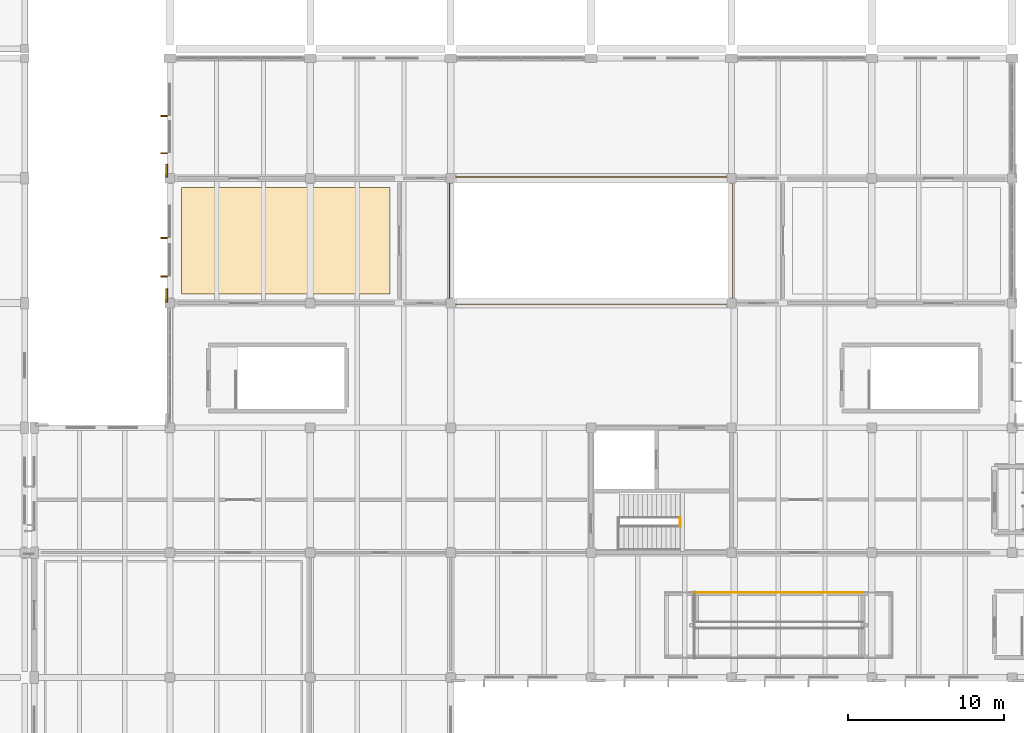
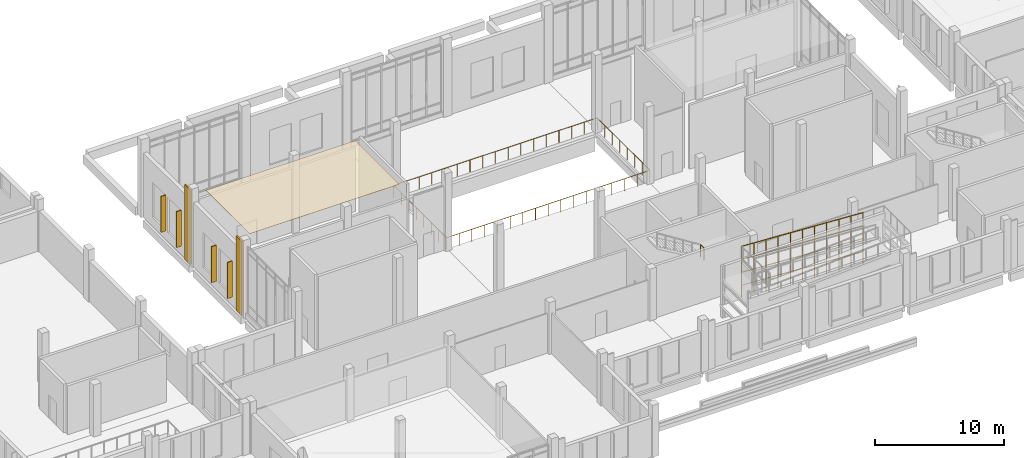
# One storey, part 99 of 110: 6 railings, 4 shading devices, 3 coverings.
"""IFC4 building model written with IfcOpenShell, lengths in metres."""

from ifc_helpers import new_model, si_unit, direction, frame, origin, origin_2d, place, context, subcontext, project, spatial, polyline, rectangle, circle, outline, extrude, material, layer, layer_set, type_object, element, save


model = new_model("IFC4")

# Units and contexts
model_context = context("Model", 3, precision=1e-05, world=origin(), true_north=direction((0.0, 1.0)))
body_context = subcontext(model_context, "Body", "Model", "MODEL_VIEW")
ifc_project = project(units=[si_unit("LENGTHUNIT", "METRE"), si_unit("AREAUNIT", "SQUARE_METRE"), si_unit("VOLUMEUNIT", "CUBIC_METRE"), si_unit("PLANEANGLEUNIT", "RADIAN"), si_unit("MASSUNIT", "GRAM", prefix="KILO")], contexts=[model_context])

# Site, building, storey
site_placement = place(None, origin())
site = spatial("IfcSite", under=ifc_project, at=site_placement, CompositionType="ELEMENT")
building_placement = place(site_placement, origin())
building = spatial("IfcBuilding", under=site, at=building_placement, Name="Zacnel Wholesale Market", CompositionType="ELEMENT")
storey_placement = place(building_placement, frame((0.0, 0.0, 6.300048828125)))
storey = spatial("IfcBuildingStorey", under=building, at=storey_placement, Name="L02", CompositionType="ELEMENT", Elevation=6.300048828125)

# Coverings
ifc_material_1 = material(Name="Micro-perforated acoustic gypsum ceiling")
ifc_layer_1 = layer(ifc_material_1, 0.02001953125)
ifc_layer_set_1 = layer_set([ifc_layer_1], Name="Micro-perforated acoustic gypsum ceiling")
covering_type_1 = type_object("IfcCoveringType", Name="COV-CEIL-AC-20", PredefinedType="CEILING", material=ifc_layer_set_1)
covering_placement = place(storey_placement, frame((0.0, 0.0, 7.070068359375)))
element("IfcCovering", 1, at=covering_placement, inside=storey, type_object=covering_type_1, Name="Acoustic ceiling L02-203", PredefinedType="CEILING", context=body_context, shape_type="SweptSolid", body=[
    extrude(outline(polyline([(81.75, 32.60009765625), (95.10009765625, 32.60009765625), (95.10009765625, 39.39990234375), (81.75, 39.39990234375), (81.75, 32.60009765625)])), origin(), (0.0, 0.0, 1.0), 0.019775390625),
])
ifc_material_2 = material(Name="Honed Yucatan Maya cream limestone", Category="masonry")
ifc_layer_2 = layer(ifc_material_2, 0.090087890625)
ifc_layer_set_2 = layer_set([ifc_layer_2], Name="Honed Yucatan Maya cream limestone")
covering_type_2 = type_object("IfcCoveringType", Name="COV-CLAD-FRET", PredefinedType="CLADDING", material=ifc_layer_set_2)
for number, where, z_axis, x_axis, name in (
    (2, (80.7900390625, 32.47998046875, 0.02001953125), (0.0, 0.0, 1.0), (0.0, 1.0, 0.0), "Fluted Mayan-Deco limestone pilaster L02-0121"),
    (3, (80.7900390625, 40.47998046875, 0.02001953125), (0.0, 0.0, 1.0), (0.0, 1.0, 0.0), "Fluted Mayan-Deco limestone pilaster L02-0122"),
):
    element("IfcCovering", number, at=place(storey_placement, frame(where, z_axis=z_axis, x_axis=x_axis)), inside=storey, type_object=covering_type_2, Name=name, PredefinedType="CLADDING", context=body_context, shape_type="SweptSolid", body=[
        extrude(rectangle(XDim=0.85009765625, YDim=0.1201171875, at=origin_2d()), origin(), (0.0, 0.0, 1.0), 7.050048828125),
    ])

# Railings
ifc_material_3 = material(Name="Galvanized steel", Category="steel")
railing_type_1 = type_object("IfcRailingType", Name="RAL-STAIR-GD1150", PredefinedType="BALUSTRADE", material=ifc_material_3)
railing_1_placement = place(storey_placement, frame((113.7099609375, 17.699951171875, 2.449951171875)))
element("IfcRailing", 4, at=railing_1_placement, inside=storey, type_object=railing_type_1, Name="Stair balustrade INT-STAIR-ST-17-GDIN-2", PredefinedType="BALUSTRADE", context=body_context, shape_type="SweptSolid", body=[
    extrude(circle(Radius=0.02392578125, at=origin_2d()), frame((0.0, 0.0, 1.1259765625), z_axis=(0.0, 1.0, 0.0), x_axis=(-1.0, 0.0, 0.0)), (0.0, 0.0, 1.0), 0.550048828125),
    extrude(circle(Radius=0.02099609375, at=origin_2d()), origin(), (0.0, 0.0, 1.0), 1.101806640625),
    extrude(circle(Radius=0.02099609375, at=origin_2d()), frame((0.0, 0.550048828125, 0.0)), (0.0, 0.0, 1.0), 1.101806640625),
])
railing_2_placement = place(storey_placement, frame((125.44091796875, 13.449951171875, 0.612548828125)))
element("IfcRailing", 5, at=railing_2_placement, inside=storey, type_object=railing_type_1, Name="Accessible ramp RP-04 (RMP-PROM-2) balustrade 2", PredefinedType="BALUSTRADE", context=body_context, shape_type="SweptSolid", body=[
    extrude(circle(Radius=0.0224609375, at=origin_2d()), frame((0.0, 0.0, 1.12744140625), z_axis=(-0.998408732111, 0.0, 0.056391521037), x_axis=(0.0, -1.0, 0.0)), (0.0, 0.0, 1.0), 10.858154296875),
    extrude(circle(Radius=0.02001953125, at=origin_2d()), origin(), (0.0, 0.0, 1.0), 1.10498046875),
    extrude(circle(Radius=0.02001953125, at=origin_2d()), frame((-1.083984375, 0.0, 0.061279296875)), (0.0, 0.0, 1.0), 1.10498046875),
    extrude(circle(Radius=0.02001953125, at=origin_2d()), frame((-2.168212890625, 0.0, 0.12255859375)), (0.0, 0.0, 1.0), 1.10498046875),
    extrude(circle(Radius=0.02001953125, at=origin_2d()), frame((-3.252197265625, 0.0, 0.18359375)), (0.0, 0.0, 1.0), 1.10498046875),
    extrude(circle(Radius=0.02001953125, at=origin_2d()), frame((-4.33642578125, 0.0, 0.244873046875)), (0.0, 0.0, 1.0), 1.10498046875),
    extrude(circle(Radius=0.02001953125, at=origin_2d()), frame((-5.42041015625, 0.0, 0.30615234375)), (0.0, 0.0, 1.0), 1.10498046875),
    extrude(circle(Radius=0.02001953125, at=origin_2d()), frame((-6.50439453125, 0.0, 0.367431640625)), (0.0, 0.0, 1.0), 1.10498046875),
    extrude(circle(Radius=0.02001953125, at=origin_2d()), frame((-7.588623046875, 0.0, 0.4287109375)), (0.0, 0.0, 1.0), 1.10498046875),
    extrude(circle(Radius=0.02001953125, at=origin_2d()), frame((-8.672607421875, 0.0, 0.48974609375)), (0.0, 0.0, 1.0), 1.10498046875),
    extrude(circle(Radius=0.02001953125, at=origin_2d()), frame((-9.7568359375, 0.0, 0.551025390625)), (0.0, 0.0, 1.0), 1.10498046875),
    extrude(circle(Radius=0.02001953125, at=origin_2d()), frame((-10.8408203125, 0.0, 0.6123046875)), (0.0, 0.0, 1.0), 1.10498046875),
])
for number, where, name in (
    (6, (125.44091796875, 13.449951171875, 1.83740234375), "Accessible ramp RP-04 (RMP-PROM-2) balustrade 4"),
    (7, (125.44091796875, 13.449951171875, 3.0625), "Accessible ramp RP-04 (RMP-PROM-2) balustrade 6"),
    (8, (125.44091796875, 13.449951171875, 4.287353515625), "Accessible ramp RP-04 (RMP-PROM-2) balustrade 8"),
):
    element("IfcRailing", number, at=place(storey_placement, frame(where)), inside=storey, type_object=railing_type_1, Name=name, PredefinedType="BALUSTRADE", context=body_context, shape_type="SweptSolid", body=[
        extrude(circle(Radius=0.0224609375, at=origin_2d()), frame((0.0, 0.0, 1.12744140625), z_axis=(-0.998407465934, 0.0, 0.056413934151), x_axis=(0.0, -1.0, 0.0)), (0.0, 0.0, 1.0), 10.858154296875),
        extrude(circle(Radius=0.02001953125, at=origin_2d()), origin(), (0.0, 0.0, 1.0), 1.10498046875),
        extrude(circle(Radius=0.02001953125, at=origin_2d()), frame((-1.083984375, 0.0, 0.061279296875)), (0.0, 0.0, 1.0), 1.10498046875),
        extrude(circle(Radius=0.02001953125, at=origin_2d()), frame((-2.168212890625, 0.0, 0.12255859375)), (0.0, 0.0, 1.0), 1.10498046875),
        extrude(circle(Radius=0.02001953125, at=origin_2d()), frame((-3.252197265625, 0.0, 0.183837890625)), (0.0, 0.0, 1.0), 1.10498046875),
        extrude(circle(Radius=0.02001953125, at=origin_2d()), frame((-4.33642578125, 0.0, 0.2451171875)), (0.0, 0.0, 1.0), 1.10498046875),
        extrude(circle(Radius=0.02001953125, at=origin_2d()), frame((-5.42041015625, 0.0, 0.30615234375)), (0.0, 0.0, 1.0), 1.10498046875),
        extrude(circle(Radius=0.02001953125, at=origin_2d()), frame((-6.50439453125, 0.0, 0.367431640625)), (0.0, 0.0, 1.0), 1.10498046875),
        extrude(circle(Radius=0.02001953125, at=origin_2d()), frame((-7.588623046875, 0.0, 0.4287109375)), (0.0, 0.0, 1.0), 1.10498046875),
        extrude(circle(Radius=0.02001953125, at=origin_2d()), frame((-8.672607421875, 0.0, 0.489990234375)), (0.0, 0.0, 1.0), 1.10498046875),
        extrude(circle(Radius=0.02001953125, at=origin_2d()), frame((-9.7568359375, 0.0, 0.55126953125)), (0.0, 0.0, 1.0), 1.10498046875),
        extrude(circle(Radius=0.02001953125, at=origin_2d()), frame((-10.8408203125, 0.0, 0.612548828125)), (0.0, 0.0, 1.0), 1.10498046875),
    ])
ifc_material_4 = material(Name="Steel S355", Category="steel")
ifc_layer_3 = layer(ifc_material_4, 0.080078125)
ifc_layer_set_3 = layer_set([ifc_layer_3], Name="Steel S355")
railing_type_2 = type_object("IfcRailingType", Name="RL-BAL-1150", PredefinedType="BALUSTRADE", material=ifc_layer_set_3)
railing_3_placement = place(storey_placement, frame((98.919921875, 31.919921875, 0.0)))
element("IfcRailing", 9, at=railing_3_placement, inside=storey, type_object=railing_type_2, Name="Terrace safety balustrade GD-L02-ATR-V2", PredefinedType="BALUSTRADE", context=body_context, shape_type="SweptSolid", body=[
    extrude(circle(Radius=0.02392578125, at=origin_2d()), frame((0.0, 0.0, 1.1259765625), z_axis=(1.0, 0.0, 0.0), x_axis=(0.0, 1.0, 0.0)), (0.0, 0.0, 1.0), 18.16015625),
    extrude(circle(Radius=0.02392578125, at=origin_2d()), frame((18.16015625, 0.0, 1.1259765625), z_axis=(0.0, 1.0, 0.0), x_axis=(-1.0, 0.0, 0.0)), (0.0, 0.0, 1.0), 8.16015625),
    extrude(circle(Radius=0.02392578125, at=origin_2d()), frame((18.16015625, 8.16015625, 1.1259765625), z_axis=(-1.0, 0.0, 0.0), x_axis=(0.0, -1.0, 0.0)), (0.0, 0.0, 1.0), 18.16015625),
    extrude(circle(Radius=0.02392578125, at=origin_2d()), frame((0.0, 8.16015625, 1.1259765625), z_axis=(0.0, -1.0, 0.0), x_axis=(1.0, 0.0, 0.0)), (0.0, 0.0, 1.0), 8.16015625),
    extrude(circle(Radius=0.02099609375, at=origin_2d()), origin(), (0.0, 0.0, 1.0), 1.101806640625),
    extrude(circle(Radius=0.02099609375, at=origin_2d()), frame((1.135009765625, 0.0, 0.0)), (0.0, 0.0, 1.0), 1.101806640625),
    extrude(circle(Radius=0.02099609375, at=origin_2d()), frame((2.27001953125, 0.0, 0.0)), (0.0, 0.0, 1.0), 1.101806640625),
    extrude(circle(Radius=0.02099609375, at=origin_2d()), frame((3.405029296875, 0.0, 0.0)), (0.0, 0.0, 1.0), 1.101806640625),
    extrude(circle(Radius=0.02099609375, at=origin_2d()), frame((4.5400390625, 0.0, 0.0)), (0.0, 0.0, 1.0), 1.101806640625),
    extrude(circle(Radius=0.02099609375, at=origin_2d()), frame((5.675048828125, 0.0, 0.0)), (0.0, 0.0, 1.0), 1.101806640625),
    extrude(circle(Radius=0.02099609375, at=origin_2d()), frame((6.81005859375, 0.0, 0.0)), (0.0, 0.0, 1.0), 1.101806640625),
    extrude(circle(Radius=0.02099609375, at=origin_2d()), frame((7.945068359375, 0.0, 0.0)), (0.0, 0.0, 1.0), 1.101806640625),
    extrude(circle(Radius=0.02099609375, at=origin_2d()), frame((9.080078125, 0.0, 0.0)), (0.0, 0.0, 1.0), 1.101806640625),
    extrude(circle(Radius=0.02099609375, at=origin_2d()), frame((10.215087890625, 0.0, 0.0)), (0.0, 0.0, 1.0), 1.101806640625),
    extrude(circle(Radius=0.02099609375, at=origin_2d()), frame((11.35009765625, 0.0, 0.0)), (0.0, 0.0, 1.0), 1.101806640625),
    extrude(circle(Radius=0.02099609375, at=origin_2d()), frame((12.485107421875, 0.0, 0.0)), (0.0, 0.0, 1.0), 1.101806640625),
    extrude(circle(Radius=0.02099609375, at=origin_2d()), frame((13.6201171875, 0.0, 0.0)), (0.0, 0.0, 1.0), 1.101806640625),
    extrude(circle(Radius=0.02099609375, at=origin_2d()), frame((14.755126953125, 0.0, 0.0)), (0.0, 0.0, 1.0), 1.101806640625),
    extrude(circle(Radius=0.02099609375, at=origin_2d()), frame((15.89013671875, 0.0, 0.0)), (0.0, 0.0, 1.0), 1.101806640625),
    extrude(circle(Radius=0.02099609375, at=origin_2d()), frame((17.025146484375, 0.0, 0.0)), (0.0, 0.0, 1.0), 1.101806640625),
    extrude(circle(Radius=0.02099609375, at=origin_2d()), frame((18.16015625, 0.0, 0.0)), (0.0, 0.0, 1.0), 1.101806640625),
    extrude(circle(Radius=0.02099609375, at=origin_2d()), frame((18.16015625, 1.165771484375, 0.0)), (0.0, 0.0, 1.0), 1.101806640625),
    extrude(circle(Radius=0.02099609375, at=origin_2d()), frame((18.16015625, 2.33154296875, 0.0)), (0.0, 0.0, 1.0), 1.101806640625),
    extrude(circle(Radius=0.02099609375, at=origin_2d()), frame((18.16015625, 3.497314453125, 0.0)), (0.0, 0.0, 1.0), 1.101806640625),
    extrude(circle(Radius=0.02099609375, at=origin_2d()), frame((18.16015625, 4.662841796875, 0.0)), (0.0, 0.0, 1.0), 1.101806640625),
    extrude(circle(Radius=0.02099609375, at=origin_2d()), frame((18.16015625, 5.82861328125, 0.0)), (0.0, 0.0, 1.0), 1.101806640625),
    extrude(circle(Radius=0.02099609375, at=origin_2d()), frame((18.16015625, 6.994384765625, 0.0)), (0.0, 0.0, 1.0), 1.101806640625),
    extrude(circle(Radius=0.02099609375, at=origin_2d()), frame((18.16015625, 8.16015625, 0.0)), (0.0, 0.0, 1.0), 1.101806640625),
    extrude(circle(Radius=0.02099609375, at=origin_2d()), frame((17.025146484375, 8.16015625, 0.0)), (0.0, 0.0, 1.0), 1.101806640625),
    extrude(circle(Radius=0.02099609375, at=origin_2d()), frame((15.89013671875, 8.16015625, 0.0)), (0.0, 0.0, 1.0), 1.101806640625),
    extrude(circle(Radius=0.02099609375, at=origin_2d()), frame((14.755126953125, 8.16015625, 0.0)), (0.0, 0.0, 1.0), 1.101806640625),
    extrude(circle(Radius=0.02099609375, at=origin_2d()), frame((13.6201171875, 8.16015625, 0.0)), (0.0, 0.0, 1.0), 1.101806640625),
    extrude(circle(Radius=0.02099609375, at=origin_2d()), frame((12.485107421875, 8.16015625, 0.0)), (0.0, 0.0, 1.0), 1.101806640625),
    extrude(circle(Radius=0.02099609375, at=origin_2d()), frame((11.35009765625, 8.16015625, 0.0)), (0.0, 0.0, 1.0), 1.101806640625),
    extrude(circle(Radius=0.02099609375, at=origin_2d()), frame((10.215087890625, 8.16015625, 0.0)), (0.0, 0.0, 1.0), 1.101806640625),
    extrude(circle(Radius=0.02099609375, at=origin_2d()), frame((9.080078125, 8.16015625, 0.0)), (0.0, 0.0, 1.0), 1.101806640625),
    extrude(circle(Radius=0.02099609375, at=origin_2d()), frame((7.945068359375, 8.16015625, 0.0)), (0.0, 0.0, 1.0), 1.101806640625),
    extrude(circle(Radius=0.02099609375, at=origin_2d()), frame((6.81005859375, 8.16015625, 0.0)), (0.0, 0.0, 1.0), 1.101806640625),
    extrude(circle(Radius=0.02099609375, at=origin_2d()), frame((5.675048828125, 8.16015625, 0.0)), (0.0, 0.0, 1.0), 1.101806640625),
    extrude(circle(Radius=0.02099609375, at=origin_2d()), frame((4.5400390625, 8.16015625, 0.0)), (0.0, 0.0, 1.0), 1.101806640625),
    extrude(circle(Radius=0.02099609375, at=origin_2d()), frame((3.405029296875, 8.16015625, 0.0)), (0.0, 0.0, 1.0), 1.101806640625),
    extrude(circle(Radius=0.02099609375, at=origin_2d()), frame((2.27001953125, 8.16015625, 0.0)), (0.0, 0.0, 1.0), 1.101806640625),
    extrude(circle(Radius=0.02099609375, at=origin_2d()), frame((1.135009765625, 8.16015625, 0.0)), (0.0, 0.0, 1.0), 1.101806640625),
    extrude(circle(Radius=0.02099609375, at=origin_2d()), frame((0.0, 8.16015625, 0.0)), (0.0, 0.0, 1.0), 1.101806640625),
    extrude(circle(Radius=0.02099609375, at=origin_2d()), frame((0.0, 6.994384765625, 0.0)), (0.0, 0.0, 1.0), 1.101806640625),
    extrude(circle(Radius=0.02099609375, at=origin_2d()), frame((0.0, 5.82861328125, 0.0)), (0.0, 0.0, 1.0), 1.101806640625),
    extrude(circle(Radius=0.02099609375, at=origin_2d()), frame((0.0, 4.662841796875, 0.0)), (0.0, 0.0, 1.0), 1.101806640625),
    extrude(circle(Radius=0.02099609375, at=origin_2d()), frame((0.0, 3.497314453125, 0.0)), (0.0, 0.0, 1.0), 1.101806640625),
    extrude(circle(Radius=0.02099609375, at=origin_2d()), frame((0.0, 2.33154296875, 0.0)), (0.0, 0.0, 1.0), 1.101806640625),
    extrude(circle(Radius=0.02099609375, at=origin_2d()), frame((0.0, 1.165771484375, 0.0)), (0.0, 0.0, 1.0), 1.101806640625),
])

# Shading devices
ifc_material_5 = material(Name="Honed Yucatan Maya cream limestone", Category="masonry")
shading_device_type = type_object("IfcShadingDeviceType", Name="SHD-FIN-V450", PredefinedType="USERDEFINED", material=ifc_material_5)
for number, where, z_axis, x_axis, name in (
    (10, (80.6201171875, 33.70703125, 0.800048828125), (0.0, 0.0, 1.0), (0.0, 1.0, 0.0), "Limestone sunshade fin 0149"),
    (11, (80.6201171875, 36.173095703125, 0.800048828125), (0.0, 0.0, 1.0), (0.0, 1.0, 0.0), "Limestone sunshade fin 0150"),
    (12, (80.6201171875, 41.614990234375, 0.800048828125), (0.0, 0.0, 1.0), (0.0, 1.0, 0.0), "Limestone sunshade fin 0151"),
    (13, (80.6201171875, 43.989990234375, 0.800048828125), (0.0, 0.0, 1.0), (0.0, 1.0, 0.0), "Limestone sunshade fin 0152"),
):
    element("IfcShadingDevice", number, at=place(storey_placement, frame(where, z_axis=z_axis, x_axis=x_axis)), inside=storey, type_object=shading_device_type, Name=name, ObjectType="SUNSHADE", PredefinedType="USERDEFINED", context=body_context, shape_type="SweptSolid", body=[
        extrude(rectangle(XDim=0.080078125, YDim=0.43994140625, at=origin_2d()), origin(), (0.0, 0.0, 1.0), 3.39990234375),
    ])

save(model, "model.ifc")
